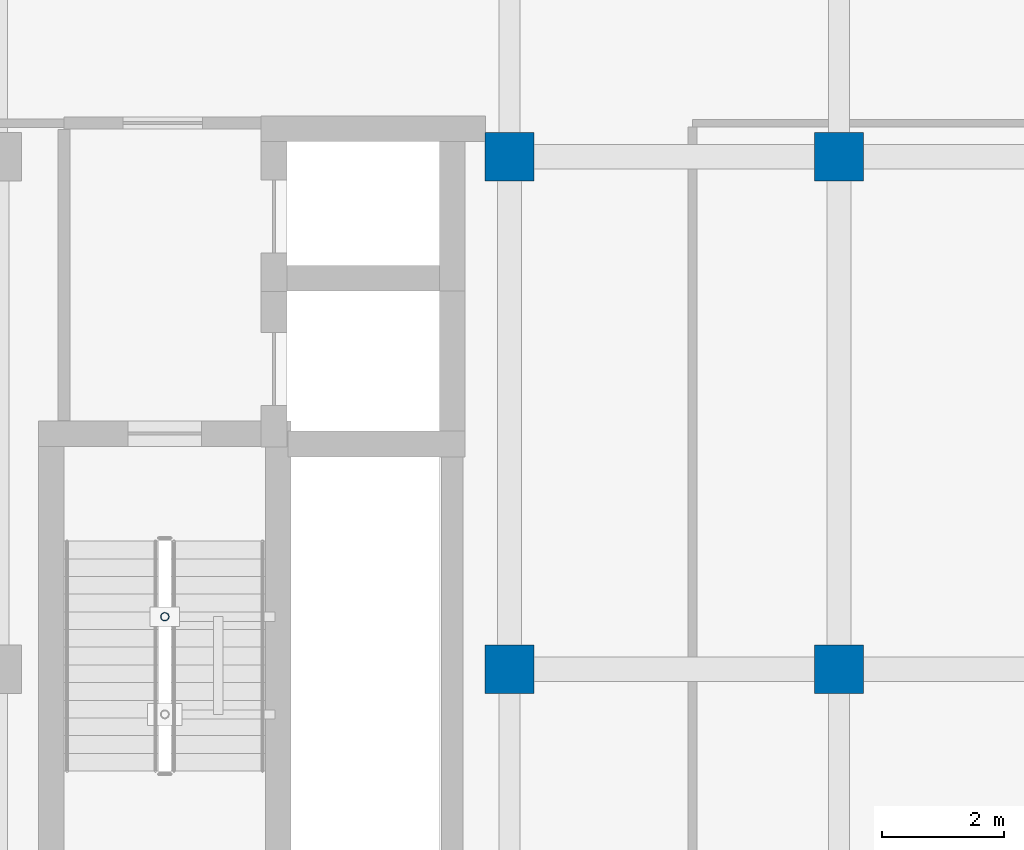
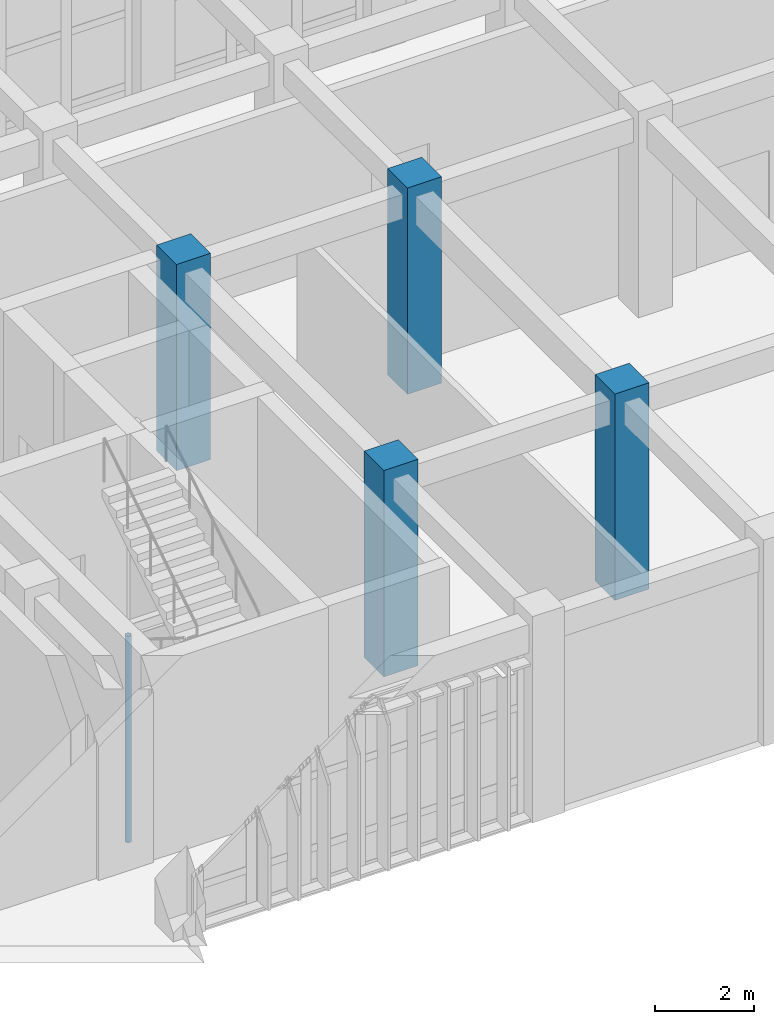
# One storey, part 13 of 93: 5 columns.
"""IFC4 building model written with IfcOpenShell, lengths in metres."""

from ifc_helpers import new_model, si_unit, direction, frame, origin, origin_2d, place, context, subcontext, project, spatial, rectangle, hollow_circle, extrude, material, material_profile, profile_set, type_object, element, save


model = new_model("IFC4")

# Units and contexts
model_context = context("Model", 3, precision=1e-05, world=origin(), true_north=direction((0.0, 1.0)))
body_context = subcontext(model_context, "Body", "Model", "MODEL_VIEW")
ifc_project = project(units=[si_unit("LENGTHUNIT", "METRE"), si_unit("AREAUNIT", "SQUARE_METRE"), si_unit("VOLUMEUNIT", "CUBIC_METRE"), si_unit("PLANEANGLEUNIT", "RADIAN"), si_unit("MASSUNIT", "GRAM", prefix="KILO")], contexts=[model_context])

# Site, building, storey
site_placement = place(None, origin())
site = spatial("IfcSite", under=ifc_project, at=site_placement, CompositionType="ELEMENT")
building_placement = place(site_placement, origin())
building = spatial("IfcBuilding", under=site, at=building_placement, Name="Krzemoval Escarpment Law Courts", CompositionType="ELEMENT")
storey_placement = place(building_placement, frame((0.0, 0.0, 10.199951171875)))
storey = spatial("IfcBuildingStorey", under=building, at=storey_placement, Name="L02", CompositionType="ELEMENT", Elevation=10.199951171875)

# Columns
ifc_material_1 = material(Name="Concrete C40/50", Category="concrete")
ifc_material_profile_1 = material_profile(ifc_material_1, rectangle(XDim=0.800048828125, YDim=0.800048828125, at=origin_2d()), Name="RC 800x800")
ifc_profile_set_1 = profile_set([ifc_material_profile_1], Name="Concrete C40/50")
column_type_1 = type_object("IfcColumnType", Name="COL-RC-800", PredefinedType="COLUMN", material=ifc_profile_set_1)
for number, where, z_axis, x_axis, name in (
    (1, (151.199951171875, 99.60009765625, 0.0), (0.0, 0.0, 1.0), (1.0, 0.0, 0.0), "Column FC-L02-0974"),
    (2, (151.199951171875, 108.0, 0.0), (0.0, 0.0, 1.0), (1.0, 0.0, 0.0), "Column FC-L02-0975"),
    (3, (156.60009765625, 99.60009765625, 0.0), (0.0, 0.0, 1.0), (1.0, 0.0, 0.0), "Column FC-L02-0979"),
    (4, (156.60009765625, 108.0, 0.0), (0.0, 0.0, 1.0), (1.0, 0.0, 0.0), "Column FC-L02-0980"),
):
    element("IfcColumn", number, at=place(storey_placement, frame(where, z_axis=z_axis, x_axis=x_axis)), inside=storey, type_object=column_type_1, Name=name, PredefinedType="COLUMN", context=body_context, shape_type="SweptSolid", body=[
        extrude(rectangle(XDim=0.800048828125, YDim=0.800048828125, at=origin_2d()), origin(), (0.0, 0.0, 1.0), 5.10009765625),
    ])
ifc_material_2 = material(Name="Steel S355", Category="steel")
ifc_material_profile_2 = material_profile(ifc_material_2, hollow_circle(Radius=0.06982421875, WallThickness=0.008056640625, at=origin_2d()), Name="CHS 139.7x8")
ifc_profile_set_2 = profile_set([ifc_material_profile_2], Name="Steel S355")
column_type_2 = type_object("IfcColumnType", Name="COL-S355-CHS140", PredefinedType="COLUMN", material=ifc_profile_set_2)
column_placement = place(storey_placement, frame((145.550048828125, 100.4599609375, -2.97998046875), z_axis=(0.0, 0.0, 1.0), x_axis=(1.0, 0.0, 0.0)))
element("IfcColumn", 5, at=column_placement, inside=storey, type_object=column_type_2, Name="Stair Well Post SCP-C3-L02-2", PredefinedType="COLUMN", context=body_context, shape_type="SweptSolid", body=[
    extrude(hollow_circle(Radius=0.06982421875, WallThickness=0.008056640625, at=origin_2d()), origin(), (0.0, 0.0, 1.0), 5.10009765625),
])

save(model, "model.ifc")
